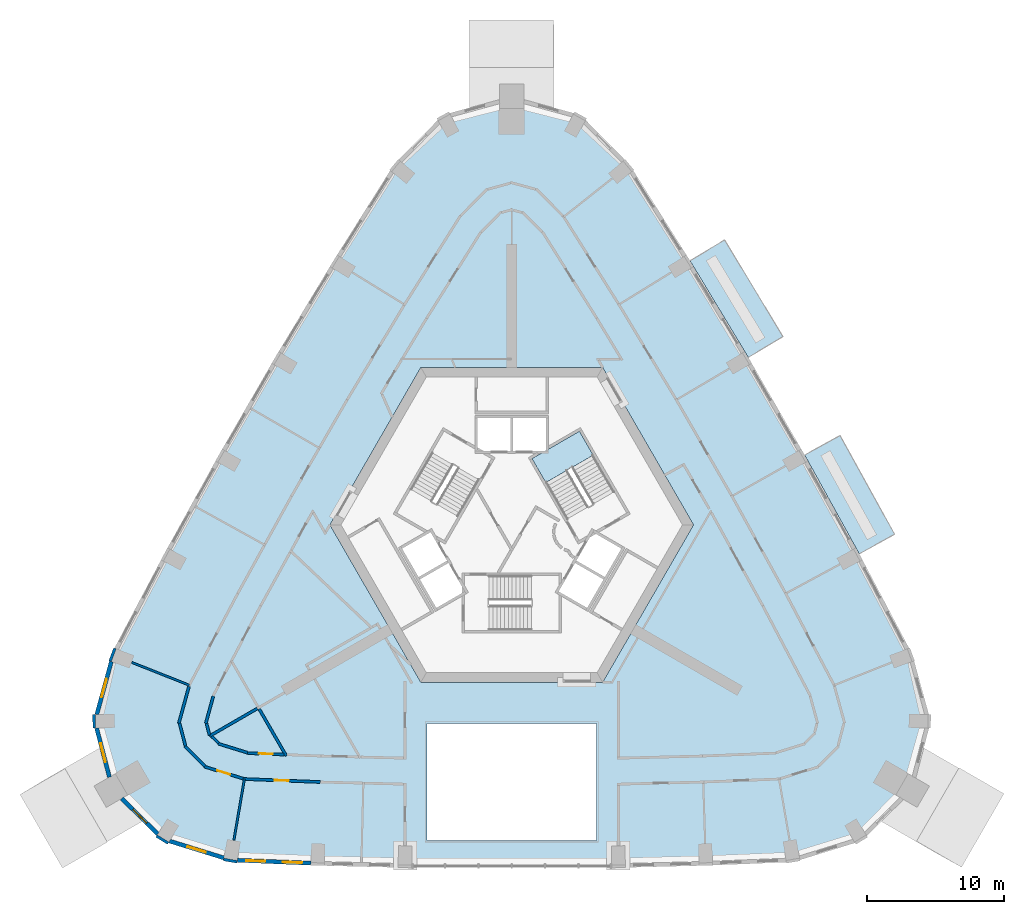
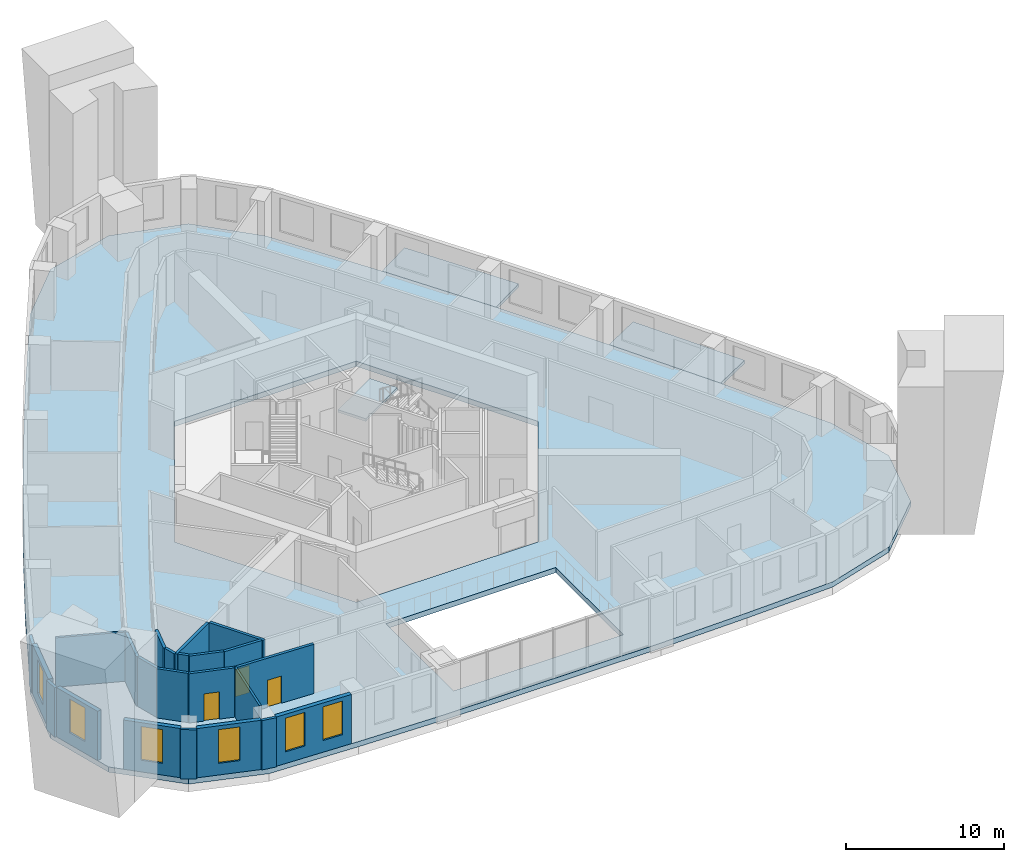
# One storey, part 3 of 13: 23 walls, 6 windows, 4 slabs, 3 doors, 9 openings, 1 element without a shape of its own.
"""IFC4 building model written with IfcOpenShell, lengths in metres."""

from ifc_helpers import new_model, si_unit, direction, frame, frame_2d, origin, place, context, subcontext, project, spatial, polyline, rectangle, outline, extrude, material, layer, layer_set, type_object, element, fill, aggregate, save


model = new_model("IFC4")

# Units and contexts
model_context = context("Model", 3, precision=1e-05, world=origin(), true_north=direction((0.0, 1.0)))
body_context = subcontext(model_context, "Body", "Model", "MODEL_VIEW")
ifc_project = project(units=[si_unit("LENGTHUNIT", "METRE"), si_unit("AREAUNIT", "SQUARE_METRE"), si_unit("VOLUMEUNIT", "CUBIC_METRE"), si_unit("PLANEANGLEUNIT", "RADIAN"), si_unit("MASSUNIT", "GRAM", prefix="KILO")], contexts=[model_context])

# Site, building, storey
site_placement = place(None, origin())
site = spatial("IfcSite", under=ifc_project, at=site_placement, CompositionType="ELEMENT")
building_placement = place(site_placement, origin())
building = spatial("IfcBuilding", under=site, at=building_placement, Name="Entoto Arch Interchange Tower", CompositionType="ELEMENT")
storey_placement = place(building_placement, frame((0.0, 0.0, 202.39990234375)))
storey = spatial("IfcBuildingStorey", under=building, at=storey_placement, Name="L45", CompositionType="ELEMENT", Elevation=202.39990234375)

# Slabs
ifc_material_1 = material(Name="Board-marked precast concrete C50/60", Category="concrete")
ifc_layer_1 = layer(ifc_material_1, 0.25)
ifc_layer_set_1 = layer_set([ifc_layer_1], Name="Board-marked precast concrete C50/60")
slab_type_1 = type_object("IfcSlabType", Name="BALCONY DECK PRECAST 250", PredefinedType="FLOOR", material=ifc_layer_set_1)
slab_1_placement = place(storey_placement, frame((0.0, 0.0, -0.25)))
element("IfcSlab", 1, at=slab_1_placement, inside=storey, type_object=slab_type_1, Name="Planted balcony NE-02 L45", PredefinedType="FLOOR", context=body_context, shape_type="SweptSolid", body=[
    extrude(outline(polyline([(25.383056640625, 0.385009765625), (21.39892578125, 7.596923828125), (23.98095703125, 9.02294921875), (27.965087890625, 1.81103515625), (25.383056640625, 0.385009765625)])), origin(), (0.0, 0.0, 1.0), 0.25),
])
slab_2_placement = place(storey_placement, frame((0.0, 0.0, -0.25)))
element("IfcSlab", 2, at=slab_2_placement, inside=storey, type_object=slab_type_1, Name="Planted balcony NE-04 L45", PredefinedType="FLOOR", context=body_context, shape_type="SweptSolid", body=[
    extrude(outline(polyline([(17.279052734375, 14.73291015625), (13.02490234375, 21.7900390625), (15.551025390625, 23.31298828125), (19.804931640625, 16.256103515625), (17.279052734375, 14.73291015625)])), origin(), (0.0, 0.0, 1.0), 0.25),
])

# Stair, slab
ifc_material_2 = material(Name="Concrete C40/50", Category="concrete")
stair_type = type_object("IfcStairType", Name="EXIT STAIR RC 1800", PredefinedType="HALF_TURN_STAIR", material=ifc_material_2)
stair_placement = place(storey_placement, origin())
stair = element("IfcStair", 3, at=stair_placement, inside=storey, type_object=stair_type, Name="L45 Exit stair NE", PredefinedType="HALF_TURN_STAIR")
ifc_layer_2 = layer(ifc_material_2, 0.199951171875)
ifc_layer_set_2 = layer_set([ifc_layer_2], Name="Concrete C40/50")
slab_type_2 = type_object("IfcSlabType", Name="EXIT STAIR LANDING RC 200", PredefinedType="LANDING", material=ifc_layer_set_2)
slab_3_placement = place(storey_placement, frame((0.0, 0.0, 1.900146484375)))
slab_3 = element("IfcSlab", 4, at=slab_3_placement, type_object=slab_type_2, Name="ST-NE landing 1", PredefinedType="LANDING", context=body_context, shape_type="SweptSolid", body=[
    extrude(outline(polyline([(5.953369140625, 7.58837890625), (4.943359375, 9.337890625), (1.479248046875, 7.337890625), (2.4892578125, 5.58837890625), (5.953369140625, 7.58837890625)])), origin(), (0.0, 0.0, 1.0), 0.199951171875),
])
aggregate(stair, [slab_3])

# Slab
ifc_layer_3 = layer(ifc_material_2, 0.39990234375)
ifc_layer_set_3 = layer_set([ifc_layer_3], Name="Concrete C40/50")
slab_type_3 = type_object("IfcSlabType", Name="Post-tensioned flat plate 400 C40/50", PredefinedType="FLOOR", material=ifc_layer_set_3)
slab_4_placement = place(storey_placement, frame((0.0, 0.0, -0.39990234375)))
element("IfcSlab", 5, at=slab_4_placement, inside=storey, type_object=slab_type_3, Name="Floor slab L45", PredefinedType="FLOOR", context=body_context, shape_type="SweptSolid", body=[
    extrude(outline(polyline([(-20.569091796875, -22.1279296875), (-14.18505859375, -22.383056640625), (-7.800048828125, -22.5439453125), (7.800048828125, -22.5439453125), (14.18505859375, -22.383056640625), (20.569091796875, -22.1279296875), (25.571044921875, -20.5791015625), (29.284912109375, -16.907958984375), (30.60693359375, -11.85595703125), (29.256103515625, -6.951904296875), (25.383056640625, 0.385009765625), (21.39892578125, 7.596923828125), (17.279052734375, 14.73291015625), (13.02490234375, 21.7900390625), (8.60693359375, 28.81298828125), (5.035888671875, 32.43408203125), (0.0, 33.81494140625), (-5.035888671875, 32.43408203125), (-8.60693359375, 28.81298828125), (-13.02490234375, 21.7900390625), (-17.279052734375, 14.73291015625), (-21.39892578125, 7.596923828125), (-25.383056640625, 0.385009765625), (-29.256103515625, -6.951904296875), (-30.60693359375, -11.85595703125), (-29.284912109375, -16.907958984375), (-25.571044921875, -20.5791015625), (-20.569091796875, -22.1279296875)]), holes=[polyline([(6.199951171875, -20.5439453125), (6.199951171875, -12.0), (-6.199951171875, -12.0), (-6.199951171875, -20.5439453125), (6.199951171875, -20.5439453125)]), polyline([(13.279052734375, 2.5), (6.639892578125, 14.0), (-6.639892578125, 14.0), (-13.279052734375, 2.5), (-6.639892578125, -9.0), (6.639892578125, -9.0), (13.279052734375, 2.5)])]), origin(), (0.0, 0.0, 1.0), 0.39990234375),
])

# Walls
ifc_material_3 = material(Name="Gypsum board partition on steel studs", Category="steel")
ifc_layer_4 = layer(ifc_material_3, 0.14990234375)
ifc_layer_set_4 = layer_set([ifc_layer_4], Name="Gypsum board partition on steel studs")
wall_type_1 = type_object("IfcWallType", Name="PARTITION 150", PredefinedType="PARTITIONING", material=ifc_layer_set_4)
wall_1_placement = place(storey_placement, frame((-23.552001953125, -9.2119140625, 0.0), z_axis=(0.0, 0.0, 1.0), x_axis=(-0.929720624715, 0.368265610639, 0.0)))
element("IfcWall", 6, at=wall_1_placement, inside=storey, type_object=wall_type_1, Name="wall:L45:p120", PredefinedType="PARTITIONING", context=body_context, shape_type="SweptSolid", body=[
    extrude(rectangle(XDim=4.515380859375, YDim=0.14990234375, at=frame_2d((2.2578125, 0.0))), origin(), (0.0, 0.0, 1.0), 3.800048828125),
])
wall_2_placement = place(storey_placement, frame((-19.527099609375, -16.06494140625, 0.0), z_axis=(0.0, 0.0, 1.0), x_axis=(-0.169437821314, -0.985540879268, 0.0)))
element("IfcWall", 7, at=wall_2_placement, inside=storey, type_object=wall_type_1, Name="wall:L45:p121", PredefinedType="PARTITIONING", context=body_context, shape_type="SweptSolid", body=[
    extrude(rectangle(XDim=4.531494140625, YDim=0.14990234375, at=frame_2d((2.265625, 0.0))), origin(), (0.0, 0.0, 1.0), 3.800048828125),
])
ifc_layer_5 = layer(ifc_material_3, 0.199951171875)
ifc_layer_set_5 = layer_set([ifc_layer_5], Name="Gypsum board partition on steel studs")
wall_type_2 = type_object("IfcWallType", Name="PARTITION 200", PredefinedType="PARTITIONING", material=ifc_layer_set_5)
wall_3_placement = place(storey_placement, frame((-21.801025390625, -10.012939453125, 0.0), z_axis=(0.0, 0.0, 1.0), x_axis=(-0.265584627827, -0.964087550725, 0.0)))
element("IfcWall", 8, at=wall_3_placement, inside=storey, type_object=wall_type_2, Name="wall:L45:p032", PredefinedType="PARTITIONING", context=body_context, shape_type="SweptSolid", body=[
    extrude(rectangle(XDim=2.0673828125, YDim=0.199951171875, at=frame_2d((1.03369140625, 0.0))), origin(), (0.0, 0.0, 1.0), 3.800048828125),
])
wall_4_placement = place(storey_placement, frame((-22.298095703125, -12.006103515625, 0.0), z_axis=(0.0, 0.0, 1.0), x_axis=(0.252647929446, -0.967558279251, 0.0)))
element("IfcWall", 9, at=wall_4_placement, inside=storey, type_object=wall_type_2, Name="wall:L45:p033", PredefinedType="PARTITIONING", context=body_context, shape_type="SweptSolid", body=[
    extrude(rectangle(XDim=0.87939453125, YDim=0.199951171875, at=frame_2d((0.439697265625, 0.0))), origin(), (0.0, 0.0, 1.0), 3.800048828125),
])
wall_5_placement = place(storey_placement, frame((-21.912109375, -12.947998046875, 0.0), z_axis=(0.0, 0.0, 1.0), x_axis=(0.712089244685, -0.702088959893, 0.0)))
element("IfcWall", 10, at=wall_5_placement, inside=storey, type_object=wall_type_2, Name="wall:L45:p034", PredefinedType="PARTITIONING", context=body_context, shape_type="SweptSolid", body=[
    extrude(rectangle(XDim=0.7080078125, YDim=0.199951171875, at=frame_2d((0.35400390625, 0.0))), origin(), (0.0, 0.0, 1.0), 3.800048828125),
])
wall_6_placement = place(storey_placement, frame((-21.43310546875, -13.486083984375, 0.0), z_axis=(0.0, 0.0, 1.0), x_axis=(0.955241047187, -0.295828568211, 0.0)))
element("IfcWall", 11, at=wall_6_placement, inside=storey, type_object=wall_type_2, Name="wall:L45:p035", PredefinedType="PARTITIONING", context=body_context, shape_type="SweptSolid", body=[
    extrude(rectangle(XDim=2.234130859375, YDim=0.199951171875, at=frame_2d((1.1171875, 0.0))), origin(), (0.0, 0.0, 1.0), 3.800048828125),
])

# Wall, opening, door
wall_7_placement = place(storey_placement, frame((-19.302978515625, -14.172119140625, 0.0), z_axis=(0.0, 0.0, 1.0), x_axis=(0.999205458466, -0.03985538574, 0.0)))
wall_7 = element("IfcWall", 12, at=wall_7_placement, inside=storey, type_object=wall_type_2, Name="wall:L45:p036", PredefinedType="PARTITIONING", context=body_context, shape_type="SweptSolid", body=[
    extrude(rectangle(XDim=2.68310546875, YDim=0.199951171875, at=frame_2d((1.341552734375, 0.0))), origin(), (0.0, 0.0, 1.0), 3.800048828125),
])
opening_1_placement = place(wall_7_placement, frame((0.842041015625, 0.0, 0.0)))
opening_1 = element("IfcOpeningElement", 13, at=opening_1_placement, cuts=wall_7, Name="Opening L45-D24", PredefinedType="OPENING", context=body_context, shape_type="SweptSolid", body=[
    extrude(rectangle(XDim=1.0, YDim=2.10009765625, at=frame_2d((0.5, 1.050048828125))), frame((0.0, 0.10986328125, 0.0), z_axis=(0.0, -1.0, 0.0), x_axis=(1.0, 0.0, 0.0)), (0.0, 0.0, 1.0), 0.219970703125),
])
ifc_material_4 = material(Name="Timber door leaf in Steel S235 frame", Category="steel")
door_type = type_object("IfcDoorType", Name="DOOR DS-10 1000x2100", OperationType="SINGLE_SWING_LEFT", PredefinedType="DOOR", material=ifc_material_4)
door_1_placement = place(opening_1_placement, origin())
door_1 = element("IfcDoor", 14, at=door_1_placement, inside=storey, type_object=door_type, Name="door:L45:24", OperationType="SINGLE_SWING_LEFT", OverallHeight=2.10009765625, OverallWidth=1.0, PredefinedType="DOOR", context=body_context, shape_type="SweptSolid", body=[
    extrude(rectangle(XDim=1.0, YDim=2.10009765625, at=frame_2d((0.5, 1.050048828125))), frame((0.0, 0.02490234375, 0.0), z_axis=(0.0, -1.0, 0.0), x_axis=(1.0, 0.0, 0.0)), (0.0, 0.0, 1.0), 0.050048828125),
])
fill(opening_1, door_1)

wall_8_placement = place(storey_placement, frame((-19.623046875, -16.034912109375, 0.0), z_axis=(0.0, 0.0, 1.0), x_axis=(-0.955234616163, 0.295849333419, 0.0)))
wall_8 = element("IfcWall", 15, at=wall_8_placement, inside=storey, type_object=wall_type_2, Name="wall:L45:p059", PredefinedType="PARTITIONING", context=body_context, shape_type="SweptSolid", body=[
    extrude(rectangle(XDim=2.94677734375, YDim=0.199951171875, at=frame_2d((1.473388671875, 0.0))), origin(), (0.0, 0.0, 1.0), 3.800048828125),
])
opening_2_placement = place(wall_8_placement, frame((0.97412109375, 0.0, 0.0)))
opening_2 = element("IfcOpeningElement", 16, at=opening_2_placement, cuts=wall_8, Name="Opening L45-D13", PredefinedType="OPENING", context=body_context, shape_type="SweptSolid", body=[
    extrude(rectangle(XDim=1.0, YDim=2.10009765625, at=frame_2d((0.5, 1.050048828125))), frame((0.0, 0.10986328125, 0.0), z_axis=(0.0, -1.0, 0.0), x_axis=(1.0, 0.0, 0.0)), (0.0, 0.0, 1.0), 0.219970703125),
])
door_2_placement = place(opening_2_placement, origin())
door_2 = element("IfcDoor", 17, at=door_2_placement, inside=storey, type_object=door_type, Name="door:L45:13", OperationType="SINGLE_SWING_LEFT", OverallHeight=2.10009765625, OverallWidth=1.0, PredefinedType="DOOR", context=body_context, shape_type="SweptSolid", body=[
    extrude(rectangle(XDim=1.0, YDim=2.10009765625, at=frame_2d((0.5, 1.050048828125))), frame((0.0, 0.02490234375, 0.0), z_axis=(0.0, -1.0, 0.0), x_axis=(1.0, 0.0, 0.0)), (0.0, 0.0, 1.0), 0.050048828125),
])
fill(opening_2, door_2)

# Walls
wall_9_placement = place(storey_placement, frame((-22.4140625, -15.123046875, 0.0), z_axis=(0.0, 0.0, 1.0), x_axis=(-0.710949827962, 0.703242733429, 0.0)))
element("IfcWall", 18, at=wall_9_placement, inside=storey, type_object=wall_type_2, Name="wall:L45:p060", PredefinedType="PARTITIONING", context=body_context, shape_type="SweptSolid", body=[
    extrude(rectangle(XDim=2.05908203125, YDim=0.199951171875, at=frame_2d((1.029541015625, 0.0))), origin(), (0.0, 0.0, 1.0), 3.800048828125),
])
wall_10_placement = place(storey_placement, frame((-23.8330078125, -13.64892578125, 0.0), z_axis=(0.0, 0.0, 1.0), x_axis=(-0.253025690571, 0.967459559832, 0.0)))
element("IfcWall", 19, at=wall_10_placement, inside=storey, type_object=wall_type_2, Name="wall:L45:p061", PredefinedType="PARTITIONING", context=body_context, shape_type="SweptSolid", body=[
    extrude(rectangle(XDim=1.711669921875, YDim=0.199951171875, at=frame_2d((0.85595703125, 0.0))), origin(), (0.0, 0.0, 1.0), 3.800048828125),
])
wall_11_placement = place(storey_placement, frame((-24.318115234375, -11.992919921875, 0.0), z_axis=(0.0, 0.0, 1.0), x_axis=(0.265884037198, 0.964005020092, 0.0)))
element("IfcWall", 20, at=wall_11_placement, inside=storey, type_object=wall_type_2, Name="wall:L45:p062", PredefinedType="PARTITIONING", context=body_context, shape_type="SweptSolid", body=[
    extrude(rectangle(XDim=2.783935546875, YDim=0.199951171875, at=frame_2d((1.39208984375, 0.0))), origin(), (0.0, 0.0, 1.0), 3.800048828125),
])

# Wall, opening, door
wall_12_placement = place(storey_placement, frame((-13.986083984375, -16.285888671875, 0.0), z_axis=(0.0, 0.0, 1.0), x_axis=(-0.999206475857, 0.039829870775, 0.0)))
wall_12 = element("IfcWall", 21, at=wall_12_placement, inside=storey, type_object=wall_type_2, Name="wall:L45:p064", PredefinedType="PARTITIONING", context=body_context, shape_type="SweptSolid", body=[
    extrude(rectangle(XDim=5.645263671875, YDim=0.199951171875, at=frame_2d((2.82275390625, 0.0))), origin(), (0.0, 0.0, 1.0), 3.800048828125),
])
opening_3_placement = place(wall_12_placement, frame((2.322998046875, 0.0, 0.0)))
opening_3 = element("IfcOpeningElement", 22, at=opening_3_placement, cuts=wall_12, Name="Opening L45-D14", PredefinedType="OPENING", context=body_context, shape_type="SweptSolid", body=[
    extrude(rectangle(XDim=1.0, YDim=2.10009765625, at=frame_2d((0.5, 1.050048828125))), frame((0.0, 0.10986328125, 0.0), z_axis=(0.0, -1.0, 0.0), x_axis=(1.0, 0.0, 0.0)), (0.0, 0.0, 1.0), 0.219970703125),
])
door_3_placement = place(opening_3_placement, origin())
door_3 = element("IfcDoor", 23, at=door_3_placement, inside=storey, type_object=door_type, Name="door:L45:14", OperationType="SINGLE_SWING_LEFT", OverallHeight=2.10009765625, OverallWidth=1.0, PredefinedType="DOOR", context=body_context, shape_type="SweptSolid", body=[
    extrude(rectangle(XDim=1.0, YDim=2.10009765625, at=frame_2d((0.5, 1.050048828125))), frame((0.0, 0.02490234375, 0.0), z_axis=(0.0, -1.0, 0.0), x_axis=(1.0, 0.0, 0.0)), (0.0, 0.0, 1.0), 0.050048828125),
])
fill(opening_3, door_3)

# Walls
wall_13_placement = place(storey_placement, frame((-16.471923828125, -14.3701171875, 0.0), z_axis=(0.0, 0.0, 1.0), x_axis=(-0.500009715097, 0.866019794698, 0.0)))
element("IfcWall", 24, at=wall_13_placement, inside=storey, type_object=wall_type_2, Name="wall:L45:p107", PredefinedType="PARTITIONING", context=body_context, shape_type="SweptSolid", body=[
    extrude(rectangle(XDim=3.9482421875, YDim=0.199951171875, at=frame_2d((1.97412109375, 0.0))), origin(), (0.0, 0.0, 1.0), 3.800048828125),
])
wall_14_placement = place(storey_placement, frame((-18.5830078125, -10.9140625, 0.0), z_axis=(0.0, 0.0, 1.0), x_axis=(-0.8659987338, -0.500046190923, 0.0)))
element("IfcWall", 25, at=wall_14_placement, inside=storey, type_object=wall_type_2, Name="wall:L45:p108", PredefinedType="PARTITIONING", context=body_context, shape_type="SweptSolid", body=[
    extrude(rectangle(XDim=4.025390625, YDim=0.199951171875, at=frame_2d((2.0126953125, 0.0))), origin(), (0.0, 0.0, 1.0), 3.800048828125),
])

# Wall, openings, windows
ifc_material_5 = material(Name="Welded tuff (ignimbrite) cladding, warm buff", Category="masonry")
ifc_layer_6 = layer(ifc_material_5, 0.300048828125)
ifc_layer_set_6 = layer_set([ifc_layer_6], Name="Welded tuff (ignimbrite) cladding, warm buff")
wall_type_3 = type_object("IfcWallType", Name="STONE INFILL WALL 300", PredefinedType="STANDARD", material=ifc_layer_set_6)
wall_15_placement = place(storey_placement, frame((-20.0400390625, -21.9990234375, 0.0), z_axis=(0.0, 0.0, 1.0), x_axis=(0.999205241612, -0.039860822062, 0.0)))
wall_15 = element("IfcWall", 26, at=wall_15_placement, inside=storey, type_object=wall_type_3, Name="Facade wall S-01 L45", PredefinedType="STANDARD", context=body_context, shape_type="SweptSolid", body=[
    extrude(rectangle(XDim=5.365234375, YDim=0.300048828125, at=frame_2d((2.6826171875, 0.0))), origin(), (0.0, 0.0, 1.0), 3.800048828125),
])
opening_4_placement = place(wall_15_placement, frame((0.64111328125, 0.0, 0.89990234375)))
opening_4 = element("IfcOpeningElement", 27, at=opening_4_placement, cuts=wall_15, Name="Opening WO-B", PredefinedType="OPENING", context=body_context, shape_type="SweptSolid", body=[
    extrude(rectangle(XDim=1.39990234375, YDim=2.60009765625, at=frame_2d((0.699951171875, 1.300048828125))), frame((0.0, 0.16015625, 0.0), z_axis=(0.0, -1.0, 0.0), x_axis=(1.0, 0.0, 0.0)), (0.0, 0.0, 1.0), 0.320068359375),
])
opening_5_placement = place(wall_15_placement, frame((3.323974609375, 0.0, 0.89990234375)))
opening_5 = element("IfcOpeningElement", 28, at=opening_5_placement, cuts=wall_15, Name="Opening WO-B", PredefinedType="OPENING", context=body_context, shape_type="SweptSolid", body=[
    extrude(rectangle(XDim=1.39990234375, YDim=2.60009765625, at=frame_2d((0.699951171875, 1.300048828125))), frame((0.0, 0.16015625, 0.0), z_axis=(0.0, -1.0, 0.0), x_axis=(1.0, 0.0, 0.0)), (0.0, 0.0, 1.0), 0.320068359375),
])
ifc_material_6 = material(Name="Clear glass, low-e double glazed", Category="glass")
window_type = type_object("IfcWindowType", Name="WINDOW WO-B 1400x2600", PartitioningType="DOUBLE_PANEL_VERTICAL", PredefinedType="WINDOW", material=ifc_material_6)
window_1_placement = place(opening_4_placement, origin())
window_1 = element("IfcWindow", 29, at=window_1_placement, inside=storey, type_object=window_type, Name="Window WO-B S-01 L45", OverallHeight=2.60009765625, OverallWidth=1.39990234375, PartitioningType="SINGLE_PANEL", PredefinedType="WINDOW", context=body_context, shape_type="SweptSolid", body=[
    extrude(rectangle(XDim=1.39990234375, YDim=2.60009765625, at=frame_2d((0.699951171875, 1.300048828125))), frame((0.0, 0.030029296875, 0.0), z_axis=(0.0, -1.0, 0.0), x_axis=(1.0, 0.0, 0.0)), (0.0, 0.0, 1.0), 0.06005859375),
])
fill(opening_4, window_1)
window_2_placement = place(opening_5_placement, origin())
window_2 = element("IfcWindow", 30, at=window_2_placement, inside=storey, type_object=window_type, Name="Window WO-B S-01 L45", OverallHeight=2.60009765625, OverallWidth=1.39990234375, PartitioningType="SINGLE_PANEL", PredefinedType="WINDOW", context=body_context, shape_type="SweptSolid", body=[
    extrude(rectangle(XDim=1.39990234375, YDim=2.60009765625, at=frame_2d((0.699951171875, 1.300048828125))), frame((0.0, 0.030029296875, 0.0), z_axis=(0.0, -1.0, 0.0), x_axis=(1.0, 0.0, 0.0)), (0.0, 0.0, 1.0), 0.06005859375),
])
fill(opening_5, window_2)

# Wall, opening, window
wall_16_placement = place(storey_placement, frame((-29.248046875, -7.487060546875, 0.0), z_axis=(0.0, 0.0, 1.0), x_axis=(-0.265534577923, -0.96410133696, 0.0)))
wall_16 = element("IfcWall", 31, at=wall_16_placement, inside=storey, type_object=wall_type_3, Name="Facade wall SW-01 L45", PredefinedType="STANDARD", context=body_context, shape_type="SweptSolid", body=[
    extrude(rectangle(XDim=4.0068359375, YDim=0.300048828125, at=frame_2d((2.00341796875, 0.0))), origin(), (0.0, 0.0, 1.0), 3.800048828125),
])
opening_6_placement = place(wall_16_placement, frame((1.302978515625, 0.0, 0.89990234375)))
opening_6 = element("IfcOpeningElement", 32, at=opening_6_placement, cuts=wall_16, Name="Opening WO-B", PredefinedType="OPENING", context=body_context, shape_type="SweptSolid", body=[
    extrude(rectangle(XDim=1.39990234375, YDim=2.60009765625, at=frame_2d((0.699951171875, 1.300048828125))), frame((0.0, 0.16015625, 0.0), z_axis=(0.0, -1.0, 0.0), x_axis=(1.0, 0.0, 0.0)), (0.0, 0.0, 1.0), 0.320068359375),
])
window_3_placement = place(opening_6_placement, origin())
window_3 = element("IfcWindow", 33, at=window_3_placement, inside=storey, type_object=window_type, Name="Window WO-B SW-01 L45", OverallHeight=2.60009765625, OverallWidth=1.39990234375, PartitioningType="SINGLE_PANEL", PredefinedType="WINDOW", context=body_context, shape_type="SweptSolid", body=[
    extrude(rectangle(XDim=1.39990234375, YDim=2.60009765625, at=frame_2d((0.699951171875, 1.300048828125))), frame((0.0, 0.030029296875, 0.0), z_axis=(0.0, -1.0, 0.0), x_axis=(1.0, 0.0, 0.0)), (0.0, 0.0, 1.0), 0.06005859375),
])
fill(opening_6, window_3)

wall_17_placement = place(storey_placement, frame((-30.322998046875, -12.347900390625, 0.0), z_axis=(0.0, 0.0, 1.0), x_axis=(0.253200635583, -0.96741378848, 0.0)))
wall_17 = element("IfcWall", 34, at=wall_17_placement, inside=storey, type_object=wall_type_3, Name="Facade wall SW-02 L45", PredefinedType="STANDARD", context=body_context, shape_type="SweptSolid", body=[
    extrude(rectangle(XDim=3.70068359375, YDim=0.300048828125, at=frame_2d((1.850341796875, 0.0))), origin(), (0.0, 0.0, 1.0), 3.800048828125),
])
opening_7_placement = place(wall_17_placement, frame((1.14990234375, 0.0, 0.89990234375)))
opening_7 = element("IfcOpeningElement", 35, at=opening_7_placement, cuts=wall_17, Name="Opening WO-B", PredefinedType="OPENING", context=body_context, shape_type="SweptSolid", body=[
    extrude(rectangle(XDim=1.39990234375, YDim=2.60009765625, at=frame_2d((0.699951171875, 1.300048828125))), frame((0.0, 0.16015625, 0.0), z_axis=(0.0, -1.0, 0.0), x_axis=(1.0, 0.0, 0.0)), (0.0, 0.0, 1.0), 0.320068359375),
])
window_4_placement = place(opening_7_placement, origin())
window_4 = element("IfcWindow", 36, at=window_4_placement, inside=storey, type_object=window_type, Name="Window WO-B SW-02 L45", OverallHeight=2.60009765625, OverallWidth=1.39990234375, PartitioningType="SINGLE_PANEL", PredefinedType="WINDOW", context=body_context, shape_type="SweptSolid", body=[
    extrude(rectangle(XDim=1.39990234375, YDim=2.60009765625, at=frame_2d((0.699951171875, 1.300048828125))), frame((0.0, 0.030029296875, 0.0), z_axis=(0.0, -1.0, 0.0), x_axis=(1.0, 0.0, 0.0)), (0.0, 0.0, 1.0), 0.06005859375),
])
fill(opening_7, window_4)

wall_18_placement = place(storey_placement, frame((-28.487060546875, -17.486083984375, 0.0), z_axis=(0.0, 0.0, 1.0), x_axis=(0.711316812334, -0.702871533419, 0.0)))
wall_18 = element("IfcWall", 37, at=wall_18_placement, inside=storey, type_object=wall_type_3, Name="Facade wall SW-03 L45", PredefinedType="STANDARD", context=body_context, shape_type="SweptSolid", body=[
    extrude(rectangle(XDim=3.7001953125, YDim=0.300048828125, at=frame_2d((1.85009765625, 0.0))), origin(), (0.0, 0.0, 1.0), 3.800048828125),
])
opening_8_placement = place(wall_18_placement, frame((1.14990234375, 0.0, 0.89990234375)))
opening_8 = element("IfcOpeningElement", 38, at=opening_8_placement, cuts=wall_18, Name="Opening WO-B", PredefinedType="OPENING", context=body_context, shape_type="SweptSolid", body=[
    extrude(rectangle(XDim=1.39990234375, YDim=2.60009765625, at=frame_2d((0.699951171875, 1.300048828125))), frame((0.0, 0.16015625, 0.0), z_axis=(0.0, -1.0, 0.0), x_axis=(1.0, 0.0, 0.0)), (0.0, 0.0, 1.0), 0.320068359375),
])
window_5_placement = place(opening_8_placement, origin())
window_5 = element("IfcWindow", 39, at=window_5_placement, inside=storey, type_object=window_type, Name="Window WO-B SW-03 L45", OverallHeight=2.60009765625, OverallWidth=1.39990234375, PartitioningType="SINGLE_PANEL", PredefinedType="WINDOW", context=body_context, shape_type="SweptSolid", body=[
    extrude(rectangle(XDim=1.39990234375, YDim=2.60009765625, at=frame_2d((0.699951171875, 1.300048828125))), frame((0.0, 0.030029296875, 0.0), z_axis=(0.0, -1.0, 0.0), x_axis=(1.0, 0.0, 0.0)), (0.0, 0.0, 1.0), 0.06005859375),
])
fill(opening_8, window_5)

wall_19_placement = place(storey_placement, frame((-24.9990234375, -20.59912109375, 0.0), z_axis=(0.0, 0.0, 1.0), x_axis=(0.955247215067, -0.295808651171, 0.0)))
wall_19 = element("IfcWall", 40, at=wall_19_placement, inside=storey, type_object=wall_type_3, Name="Facade wall SW-04 L45", PredefinedType="STANDARD", context=body_context, shape_type="SweptSolid", body=[
    extrude(rectangle(XDim=4.161376953125, YDim=0.300048828125, at=frame_2d((2.08056640625, 0.0))), origin(), (0.0, 0.0, 1.0), 3.800048828125),
])
opening_9_placement = place(wall_19_placement, frame((1.381103515625, 0.0, 0.89990234375)))
opening_9 = element("IfcOpeningElement", 41, at=opening_9_placement, cuts=wall_19, Name="Opening WO-B", PredefinedType="OPENING", context=body_context, shape_type="SweptSolid", body=[
    extrude(rectangle(XDim=1.39990234375, YDim=2.60009765625, at=frame_2d((0.699951171875, 1.300048828125))), frame((0.0, 0.16015625, 0.0), z_axis=(0.0, -1.0, 0.0), x_axis=(1.0, 0.0, 0.0)), (0.0, 0.0, 1.0), 0.320068359375),
])
window_6_placement = place(opening_9_placement, origin())
window_6 = element("IfcWindow", 42, at=window_6_placement, inside=storey, type_object=window_type, Name="Window WO-B SW-04 L45", OverallHeight=2.60009765625, OverallWidth=1.39990234375, PartitioningType="SINGLE_PANEL", PredefinedType="WINDOW", context=body_context, shape_type="SweptSolid", body=[
    extrude(rectangle(XDim=1.39990234375, YDim=2.60009765625, at=frame_2d((0.699951171875, 1.300048828125))), frame((0.0, 0.030029296875, 0.0), z_axis=(0.0, -1.0, 0.0), x_axis=(1.0, 0.0, 0.0)), (0.0, 0.0, 1.0), 0.06005859375),
])
fill(opening_9, window_6)

# Walls
ifc_layer_7 = layer(ifc_material_5, 0.199951171875)
ifc_layer_set_7 = layer_set([ifc_layer_7], Name="Welded tuff (ignimbrite) cladding, warm buff")
wall_type_4 = type_object("IfcWallType", Name="STONE PIER CLADDING 200", PredefinedType="STANDARD", material=ifc_layer_set_7)
wall_20_placement = place(storey_placement, frame((-28.989013671875, -6.51806640625, 0.0), z_axis=(0.0, 0.0, 1.0), x_axis=(-0.346892928577, -0.937904737222, 0.0)))
element("IfcWall", 43, at=wall_20_placement, inside=storey, type_object=wall_type_4, Name="Stone pier NW06 L45", PredefinedType="STANDARD", context=body_context, shape_type="SweptSolid", body=[
    extrude(rectangle(XDim=1.0, YDim=0.199951171875, at=frame_2d((0.5, 0.0))), origin(), (0.0, 0.0, 1.0), 3.800048828125),
])
wall_21_placement = place(storey_placement, frame((-21.044921875, -21.945068359375, 0.0), z_axis=(0.0, 0.0, 1.0), x_axis=(0.985631544579, -0.168909615862, 0.0)))
element("IfcWall", 44, at=wall_21_placement, inside=storey, type_object=wall_type_4, Name="Stone pier S01 L45", PredefinedType="STANDARD", context=body_context, shape_type="SweptSolid", body=[
    extrude(rectangle(XDim=1.000244140625, YDim=0.199951171875, at=frame_2d((0.5, 0.0))), origin(), (0.0, 0.0, 1.0), 3.800048828125),
])
wall_22_placement = place(storey_placement, frame((-30.51904296875, -11.35400390625, 0.0), z_axis=(0.0, 0.0, 1.0), x_axis=(0.023942303888, -0.999713341956, 0.0)))
element("IfcWall", 45, at=wall_22_placement, inside=storey, type_object=wall_type_4, Name="Stone pier SW1 L45", PredefinedType="STANDARD", context=body_context, shape_type="SweptSolid", body=[
    extrude(rectangle(XDim=0.999267578125, YDim=0.199951171875, at=frame_2d((0.49951171875, 0.0))), origin(), (0.0, 0.0, 1.0), 3.800048828125),
])
wall_23_placement = place(storey_placement, frame((-25.946044921875, -20.23291015625, 0.0), z_axis=(0.0, 0.0, 1.0), x_axis=(0.853679739553, -0.520798331677, 0.0)))
element("IfcWall", 46, at=wall_23_placement, inside=storey, type_object=wall_type_4, Name="Stone pier SW3 L45", PredefinedType="STANDARD", context=body_context, shape_type="SweptSolid", body=[
    extrude(rectangle(XDim=1.00048828125, YDim=0.199951171875, at=frame_2d((0.500244140625, 0.0))), origin(), (0.0, 0.0, 1.0), 3.800048828125),
])

save(model, "model.ifc")
